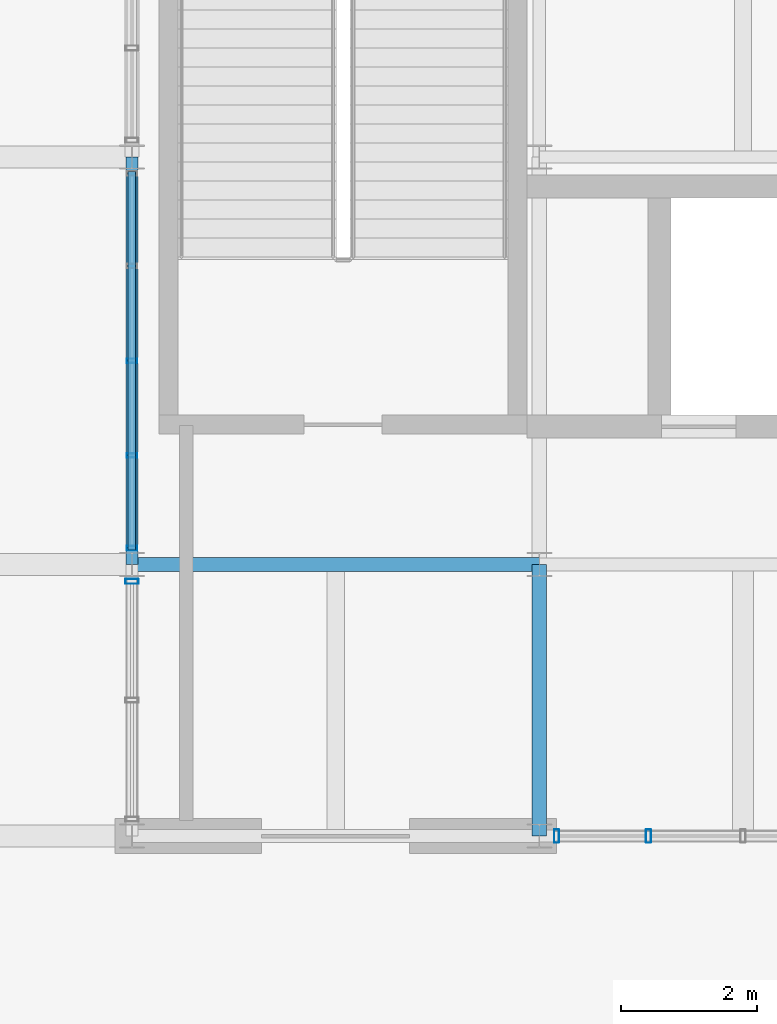
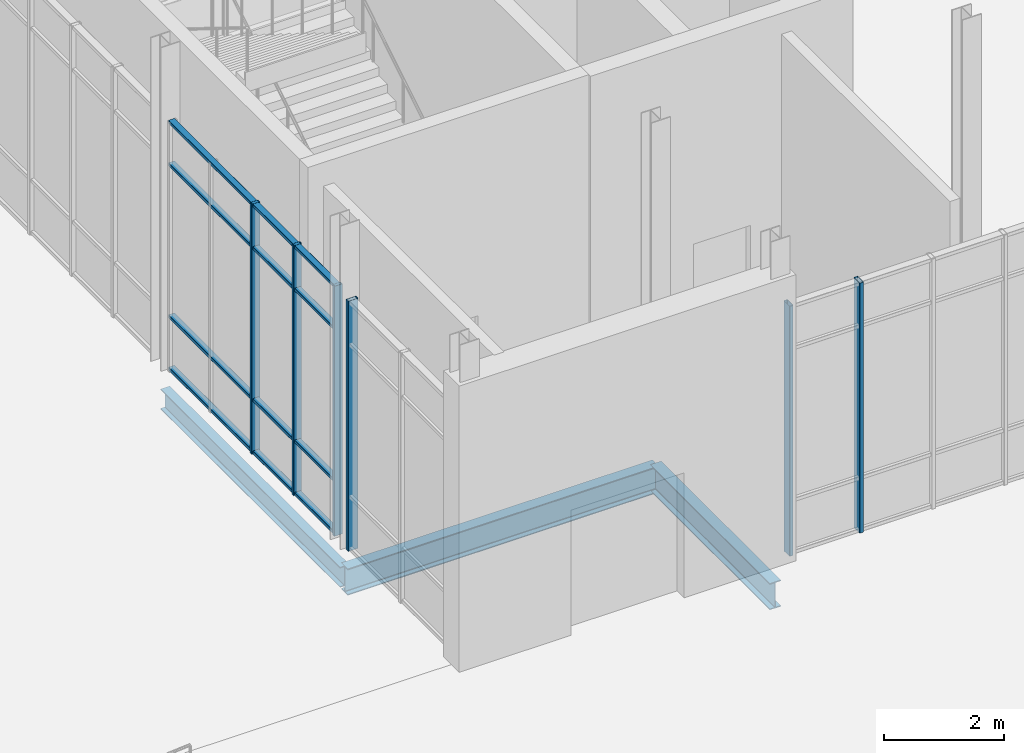
# One storey, part 70 of 140: 10 members, 3 beams, 3 elements without a shape of their own.
"""IFC4 building model written with IfcOpenShell, lengths in metres."""

from ifc_helpers import new_model, si_unit, direction, frame, origin, origin_2d, place, context, subcontext, project, spatial, hollow_rectangle, i_section, extrude, material, material_profile, profile_set, type_object, element, aggregate, save


model = new_model("IFC4")

# Units and contexts
model_context = context("Model", 3, precision=1e-05, world=origin(), true_north=direction((0.0, 1.0)))
body_context = subcontext(model_context, "Body", "Model", "MODEL_VIEW")
ifc_project = project(units=[si_unit("LENGTHUNIT", "METRE"), si_unit("AREAUNIT", "SQUARE_METRE"), si_unit("VOLUMEUNIT", "CUBIC_METRE"), si_unit("PLANEANGLEUNIT", "RADIAN"), si_unit("MASSUNIT", "GRAM", prefix="KILO")], contexts=[model_context])

# Site, building, storey
site_placement = place(None, origin())
site = spatial("IfcSite", under=ifc_project, at=site_placement, CompositionType="ELEMENT")
building_placement = place(site_placement, origin())
building = spatial("IfcBuilding", under=site, at=building_placement, Name="Verrall Gate Interchange", CompositionType="ELEMENT")
storey_placement = place(building_placement, origin())
storey = spatial("IfcBuildingStorey", under=building, at=storey_placement, Name="L01", CompositionType="ELEMENT", Elevation=0.0)

# Beams
ifc_material_1 = material(Name="Structural Steel CSA G40.21 350W", Category="steel")
ifc_material_profile_1 = material_profile(ifc_material_1, i_section(OverallWidth=0.2109375, OverallDepth=0.5390625, WebThickness=0.01171875, FlangeThickness=0.018798828125, FilletRadius=0.013916015625, at=origin_2d()), Name="W530x109")
ifc_profile_set_1 = profile_set([ifc_material_profile_1], Name="Structural Steel CSA G40.21 350W")
beam_type_1 = type_object("IfcBeamType", Name="B-10 Structural Beam W530x109", PredefinedType="BEAM", material=ifc_profile_set_1)
beam_1_placement = place(storey_placement, frame((132.0, 16.0, -0.76953125), z_axis=(1.0, 0.0, 0.0), x_axis=(0.0, 1.0, 0.0)))
element("IfcBeam", 1, at=beam_1_placement, inside=storey, type_object=beam_type_1, Name="L01 Girder BM-L01-0802 (B-10)", PredefinedType="BEAM", context=body_context, shape_type="SweptSolid", body=[
    extrude(i_section(OverallWidth=0.2109375, OverallDepth=0.5390625, WebThickness=0.01171875, FlangeThickness=0.018798828125, FilletRadius=0.013916015625, at=origin_2d()), origin(), (0.0, 0.0, 1.0), 6.0),
])
beam_2_placement = place(storey_placement, frame((138.0, 12.0, -0.76953125), z_axis=(0.0, 1.0, 0.0), x_axis=(-1.0, 0.0, 0.0)))
element("IfcBeam", 2, at=beam_2_placement, inside=storey, type_object=beam_type_1, Name="L01 Girder BM-L01-1203 (B-10)", PredefinedType="BEAM", context=body_context, shape_type="SweptSolid", body=[
    extrude(i_section(OverallWidth=0.2109375, OverallDepth=0.5390625, WebThickness=0.01171875, FlangeThickness=0.018798828125, FilletRadius=0.013916015625, at=origin_2d()), origin(), (0.0, 0.0, 1.0), 4.0),
])
ifc_material_2 = material(Name="Structural Steel CSA G40.21 350W", Category="steel")
ifc_material_profile_2 = material_profile(ifc_material_2, i_section(OverallWidth=0.178955078125, OverallDepth=0.409912109375, WebThickness=0.0087890625, FlangeThickness=0.014404296875, FilletRadius=0.011962890625, at=origin_2d()), Name="W410x67")
ifc_profile_set_2 = profile_set([ifc_material_profile_2], Name="Structural Steel CSA G40.21 350W")
beam_type_2 = type_object("IfcBeamType", Name="B-12 Structural Beam W410x67", PredefinedType="BEAM", material=ifc_profile_set_2)
beam_3_placement = place(storey_placement, frame((132.0, 16.0, -0.705078125), z_axis=(0.0, 1.0, 0.0), x_axis=(-1.0, 0.0, 0.0)))
element("IfcBeam", 3, at=beam_3_placement, inside=storey, type_object=beam_type_2, Name="L01 Girder BM-L01-1196 (B-12)", PredefinedType="BEAM", context=body_context, shape_type="SweptSolid", body=[
    extrude(i_section(OverallWidth=0.178955078125, OverallDepth=0.409912109375, WebThickness=0.0087890625, FlangeThickness=0.014404296875, FilletRadius=0.011962890625, at=origin_2d()), origin(), (0.0, 0.0, 1.0), 6.0),
])

# Curtain wall, members
ifc_material_3 = material(Name="Thermally Broken Anodized Aluminium Curtain Wall Framing", Category="aluminium")
curtain_wall_type_1 = type_object("IfcCurtainWallType", Name="CW-04 Unitized Curtain Wall 5631x5100", PredefinedType="NOTDEFINED", material=ifc_material_3)
curtain_wall_1_placement = place(storey_placement, origin())
curtain_wall_1 = element("IfcCurtainWall", 4, at=curtain_wall_1_placement, inside=storey, type_object=curtain_wall_type_1, Name="L01 Unitized Curtain Wall CW-L01-050", PredefinedType="NOTDEFINED")
ifc_material_4 = material(Name="Thermally Broken Anodized Aluminium Curtain Wall Framing", Category="aluminium")
ifc_material_profile_3 = material_profile(ifc_material_4, hollow_rectangle(XDim=0.06494140625, YDim=0.159912109375, WallThickness=0.00390625, InnerFilletRadius=0.00390625, OuterFilletRadius=0.008056640625, at=origin_2d()), Name="CWM160x65x4")
ifc_profile_set_3 = profile_set([ifc_material_profile_3], Name="Thermally Broken Anodized Aluminium Curtain Wall Framing")
member_type_1 = type_object("IfcMemberType", Name="CM-01 Curtain Mullion CWM160x65x4", PredefinedType="MULLION", material=ifc_profile_set_3)
member_1_placement = place(storey_placement, frame((132.0, 19.0, 0.0), z_axis=(0.0, 0.0, 1.0), x_axis=(0.0, -1.0, 0.0)))
member_1 = element("IfcMember", 5, at=member_1_placement, type_object=member_type_1, Name="CW-L01-050 Mullion 3", PredefinedType="MULLION", context=body_context, shape_type="SweptSolid", body=[
    extrude(hollow_rectangle(XDim=0.06494140625, YDim=0.159912109375, WallThickness=0.00390625, InnerFilletRadius=0.00390625, OuterFilletRadius=0.008056640625, at=origin_2d()), origin(), (0.0, 0.0, 1.0), 5.10009765625),
])
member_2_placement = place(storey_placement, frame((132.0, 17.60498046875, 0.0), z_axis=(0.0, 0.0, 1.0), x_axis=(0.0, -1.0, 0.0)))
member_2 = element("IfcMember", 6, at=member_2_placement, type_object=member_type_1, Name="CW-L01-050 Mullion 4", PredefinedType="MULLION", context=body_context, shape_type="SweptSolid", body=[
    extrude(hollow_rectangle(XDim=0.06494140625, YDim=0.159912109375, WallThickness=0.00390625, InnerFilletRadius=0.00390625, OuterFilletRadius=0.008056640625, at=origin_2d()), origin(), (0.0, 0.0, 1.0), 5.10009765625),
])
member_3_placement = place(storey_placement, frame((132.0, 16.242431640625, 0.0), z_axis=(0.0, 0.0, 1.0), x_axis=(0.0, -1.0, 0.0)))
member_3 = element("IfcMember", 7, at=member_3_placement, type_object=member_type_1, Name="CW-L01-050 Mullion 5", PredefinedType="MULLION", context=body_context, shape_type="SweptSolid", body=[
    extrude(hollow_rectangle(XDim=0.06494140625, YDim=0.159912109375, WallThickness=0.00390625, InnerFilletRadius=0.00390625, OuterFilletRadius=0.008056640625, at=origin_2d()), origin(), (0.0, 0.0, 1.0), 5.10009765625),
])

curtain_wall_2_placement = place(storey_placement, origin())
curtain_wall_2 = element("IfcCurtainWall", 8, at=curtain_wall_2_placement, inside=storey, type_object=curtain_wall_type_1, Name="L01 Unitized Curtain Wall CW-L01-037", PredefinedType="NOTDEFINED")
ifc_material_5 = material(Name="Thermally Broken Anodized Aluminium Curtain Wall Framing", Category="aluminium")
ifc_material_profile_4 = material_profile(ifc_material_5, hollow_rectangle(XDim=0.074951171875, YDim=0.199951171875, WallThickness=0.0048828125, InnerFilletRadius=0.0048828125, OuterFilletRadius=0.010009765625, at=origin_2d()), Name="CWM200x75x5")
ifc_profile_set_4 = profile_set([ifc_material_profile_4], Name="Thermally Broken Anodized Aluminium Curtain Wall Framing")
member_type_2 = type_object("IfcMemberType", Name="CM-02 Curtain Mullion CWM200x75x5", PredefinedType="MULLION", material=ifc_profile_set_4)
member_4_placement = place(storey_placement, frame((138.25390625, 12.0, 0.0), z_axis=(0.0, 0.0, 1.0), x_axis=(1.0, 0.0, 0.0)))
member_4 = element("IfcMember", 9, at=member_4_placement, type_object=member_type_2, Name="CW-L01-037 Mullion 1", PredefinedType="MULLION", context=body_context, shape_type="SweptSolid", body=[
    extrude(hollow_rectangle(XDim=0.074951171875, YDim=0.199951171875, WallThickness=0.0048828125, InnerFilletRadius=0.0048828125, OuterFilletRadius=0.010009765625, at=origin_2d()), origin(), (0.0, 0.0, 1.0), 5.10009765625),
])
member_5_placement = place(storey_placement, frame((139.6083984375, 12.0, 0.0), z_axis=(0.0, 0.0, 1.0), x_axis=(1.0, 0.0, 0.0)))
member_5 = element("IfcMember", 10, at=member_5_placement, type_object=member_type_2, Name="CW-L01-037 Mullion 2", PredefinedType="MULLION", context=body_context, shape_type="SweptSolid", body=[
    extrude(hollow_rectangle(XDim=0.074951171875, YDim=0.199951171875, WallThickness=0.0048828125, InnerFilletRadius=0.0048828125, OuterFilletRadius=0.010009765625, at=origin_2d()), origin(), (0.0, 0.0, 1.0), 5.10009765625),
])
aggregate(curtain_wall_2, [member_4, member_5])

# Curtain wall, member
ifc_material_6 = material(Name="Thermally Broken Anodized Aluminium Curtain Wall Framing", Category="aluminium")
curtain_wall_type_2 = type_object("IfcCurtainWallType", Name="CW-05 Unitized Curtain Wall 3631x5100", PredefinedType="NOTDEFINED", material=ifc_material_6)
curtain_wall_3_placement = place(storey_placement, origin())
curtain_wall_3 = element("IfcCurtainWall", 11, at=curtain_wall_3_placement, inside=storey, type_object=curtain_wall_type_2, Name="L01 Unitized Curtain Wall CW-L01-051", PredefinedType="NOTDEFINED")
member_6_placement = place(storey_placement, frame((132.0, 15.75244140625, 0.0), z_axis=(0.0, 0.0, 1.0), x_axis=(0.0, -1.0, 0.0)))
member_6 = element("IfcMember", 12, at=member_6_placement, type_object=member_type_2, Name="CW-L01-051 Mullion 1", PredefinedType="MULLION", context=body_context, shape_type="SweptSolid", body=[
    extrude(hollow_rectangle(XDim=0.074951171875, YDim=0.199951171875, WallThickness=0.0048828125, InnerFilletRadius=0.0048828125, OuterFilletRadius=0.010009765625, at=origin_2d()), origin(), (0.0, 0.0, 1.0), 5.10009765625),
])
aggregate(curtain_wall_3, [member_6])

# Member
ifc_material_7 = material(Name="Thermally Broken Anodized Aluminium Curtain Wall Framing", Category="aluminium")
ifc_material_profile_5 = material_profile(ifc_material_7, hollow_rectangle(XDim=0.1201171875, YDim=0.06494140625, WallThickness=0.00390625, InnerFilletRadius=0.00390625, OuterFilletRadius=0.008056640625, at=origin_2d()), Name="CWT120x65x4")
ifc_profile_set_5 = profile_set([ifc_material_profile_5], Name="Thermally Broken Anodized Aluminium Curtain Wall Framing")
member_type_3 = type_object("IfcMemberType", Name="CT-01 Curtain Transom CWT120x65x4", PredefinedType="USERDEFINED", material=ifc_profile_set_5)
member_7_placement = place(storey_placement, frame((132.0, 21.7900390625, 0.032470703125), z_axis=(0.0, -1.0, 0.0), x_axis=(1.0, 0.0, 0.0)))
member_7 = element("IfcMember", 13, at=member_7_placement, type_object=member_type_3, Name="CW-L01-050 Transom 1", ObjectType="TRANSOM", PredefinedType="USERDEFINED", context=body_context, shape_type="SweptSolid", body=[
    extrude(hollow_rectangle(XDim=0.1201171875, YDim=0.06494140625, WallThickness=0.00390625, InnerFilletRadius=0.00390625, OuterFilletRadius=0.008056640625, at=origin_2d()), origin(), (0.0, 0.0, 1.0), 5.580078125),
])

member_8_placement = place(storey_placement, frame((132.0, 21.7900390625, 1.10009765625), z_axis=(0.0, -1.0, 0.0), x_axis=(1.0, 0.0, 0.0)))
member_8 = element("IfcMember", 14, at=member_8_placement, type_object=member_type_3, Name="CW-L01-050 Transom 2", ObjectType="TRANSOM", PredefinedType="USERDEFINED", context=body_context, shape_type="SweptSolid", body=[
    extrude(hollow_rectangle(XDim=0.1201171875, YDim=0.06494140625, WallThickness=0.00390625, InnerFilletRadius=0.00390625, OuterFilletRadius=0.008056640625, at=origin_2d()), origin(), (0.0, 0.0, 1.0), 5.580078125),
])

member_9_placement = place(storey_placement, frame((132.0, 21.7900390625, 4.199951171875), z_axis=(0.0, -1.0, 0.0), x_axis=(1.0, 0.0, 0.0)))
member_9 = element("IfcMember", 15, at=member_9_placement, type_object=member_type_3, Name="CW-L01-050 Transom 3", ObjectType="TRANSOM", PredefinedType="USERDEFINED", context=body_context, shape_type="SweptSolid", body=[
    extrude(hollow_rectangle(XDim=0.1201171875, YDim=0.06494140625, WallThickness=0.00390625, InnerFilletRadius=0.00390625, OuterFilletRadius=0.008056640625, at=origin_2d()), origin(), (0.0, 0.0, 1.0), 5.580078125),
])

member_10_placement = place(storey_placement, frame((132.0, 21.7900390625, 5.0673828125), z_axis=(0.0, -1.0, 0.0), x_axis=(1.0, 0.0, 0.0)))
member_10 = element("IfcMember", 16, at=member_10_placement, type_object=member_type_3, Name="CW-L01-050 Transom 4", ObjectType="TRANSOM", PredefinedType="USERDEFINED", context=body_context, shape_type="SweptSolid", body=[
    extrude(hollow_rectangle(XDim=0.1201171875, YDim=0.06494140625, WallThickness=0.00390625, InnerFilletRadius=0.00390625, OuterFilletRadius=0.008056640625, at=origin_2d()), origin(), (0.0, 0.0, 1.0), 5.580078125),
])

aggregate(curtain_wall_1, [member_1, member_2, member_3, member_7, member_8, member_9, member_10])

save(model, "model.ifc")
